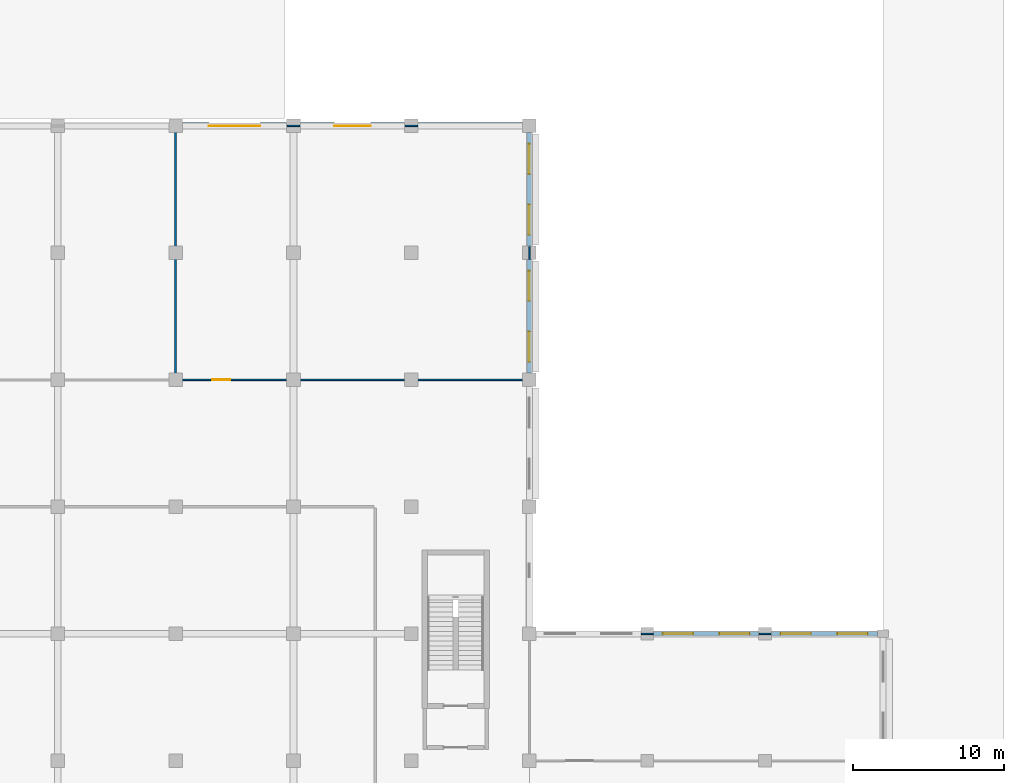
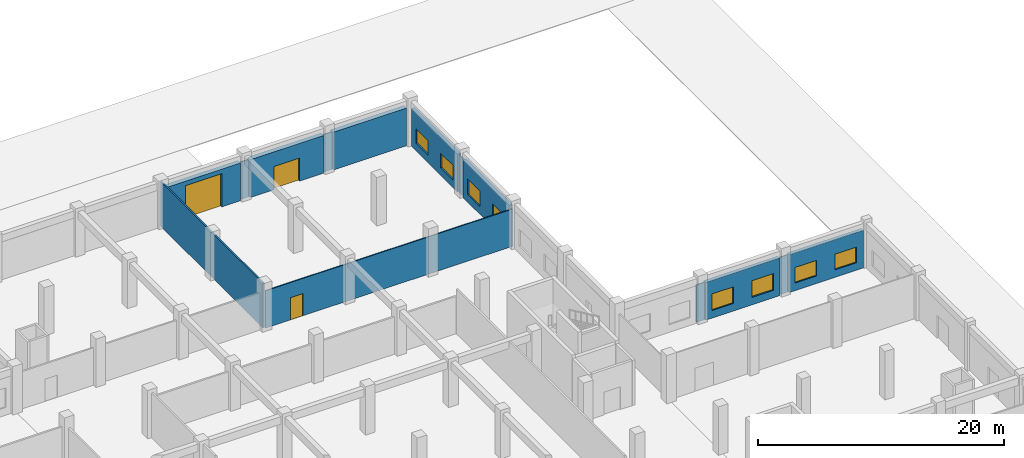
# One storey, part 59 of 74: 14 walls, 8 windows, 3 doors, 11 openings.
"""IFC4 building model written with IfcOpenShell, lengths in metres."""

from ifc_helpers import new_model, si_unit, direction, frame, frame_2d, origin, place, context, subcontext, project, spatial, rectangle, extrude, material, layer, layer_set, type_object, element, fill, save


model = new_model("IFC4")

# Units and contexts
model_context = context("Model", 3, precision=1e-05, world=origin(), true_north=direction((0.0, 1.0)))
body_context = subcontext(model_context, "Body", "Model", "MODEL_VIEW")
ifc_project = project(units=[si_unit("LENGTHUNIT", "METRE"), si_unit("AREAUNIT", "SQUARE_METRE"), si_unit("VOLUMEUNIT", "CUBIC_METRE"), si_unit("PLANEANGLEUNIT", "RADIAN"), si_unit("MASSUNIT", "GRAM", prefix="KILO"), si_unit("THERMODYNAMICTEMPERATUREUNIT", "KELVIN"), si_unit("POWERUNIT", "WATT")], contexts=[model_context])

# Site, building, storey
site_placement = place(None, origin())
site = spatial("IfcSite", under=ifc_project, at=site_placement, CompositionType="ELEMENT")
building_placement = place(site_placement, origin())
building = spatial("IfcBuilding", under=site, at=building_placement, Name="Srebrne Nadtorze General Hospital", CompositionType="ELEMENT")
storey_placement = place(building_placement, origin())
storey = spatial("IfcBuildingStorey", under=building, at=storey_placement, Name="L00", CompositionType="ELEMENT", Elevation=0.0)

# Wall, opening, door
ifc_material_1 = material(Name="Concrete C40/50", Category="concrete")
ifc_layer_1 = layer(ifc_material_1, 0.419921875)
ifc_layer_set_1 = layer_set([ifc_layer_1], Name="Concrete C40/50")
wall_type_1 = type_object("IfcWallType", Name="Acoustic buffer wall 420", PredefinedType="SOLIDWALL", material=ifc_layer_set_1)
wall_1_placement = place(storey_placement, frame((125.25, 109.199951171875, 0.0), z_axis=(0.0, 0.0, 1.0), x_axis=(1.0, 0.0, 0.0)))
wall_1 = element("IfcWall", 1, at=wall_1_placement, inside=storey, type_object=wall_type_1, Name="Exterior wall WL-ENV-L00-0110", PredefinedType="SOLIDWALL", context=body_context, shape_type="SweptSolid", body=[
    extrude(rectangle(XDim=6.89990234375, YDim=0.419921875, at=frame_2d((3.449951171875, 0.0))), origin(), (0.0, 0.0, 1.0), 3.75),
])
opening_1_placement = place(wall_1_placement, frame((1.75, 0.0, 0.0)))
opening_1 = element("IfcOpeningElement", 2, at=opening_1_placement, cuts=wall_1, Name="Opening D-L00-E007", PredefinedType="OPENING", context=body_context, shape_type="SweptSolid", body=[
    extrude(rectangle(XDim=3.39990234375, YDim=3.300048828125, at=frame_2d((1.699951171875, 1.64990234375))), frame((0.0, 0.221923828125, 0.0), z_axis=(0.0, -1.0, 0.0), x_axis=(1.0, 0.0, 0.0)), (0.0, 0.0, 1.0), 0.44384765625),
])
ifc_material_2 = material(Name="Anodised Aluminium", Category="aluminium")
door_type_1 = type_object("IfcDoorType", Name="Emergency exit gate 3400x3300", OperationType="DOUBLE_DOOR_SINGLE_SWING", PredefinedType="GATE", material=ifc_material_2)
door_1_placement = place(opening_1_placement, origin())
door_1 = element("IfcDoor", 3, at=door_1_placement, inside=storey, type_object=door_type_1, Name="Exterior door D-L00-E007", OperationType="DOUBLE_DOOR_SINGLE_SWING", OverallHeight=3.300048828125, OverallWidth=3.39990234375, PredefinedType="GATE", context=body_context, shape_type="SweptSolid", body=[
    extrude(rectangle(XDim=3.39990234375, YDim=3.300048828125, at=frame_2d((1.699951171875, 1.64990234375))), frame((0.0, 0.02490234375, 0.0), z_axis=(0.0, -1.0, 0.0), x_axis=(1.0, 0.0, 0.0)), (0.0, 0.0, 1.0), 0.050048828125),
])
fill(opening_1, door_1)

wall_2_placement = place(storey_placement, frame((133.050048828125, 109.199951171875, 0.0), z_axis=(0.0, 0.0, 1.0), x_axis=(1.0, 0.0, 0.0)))
wall_2 = element("IfcWall", 4, at=wall_2_placement, inside=storey, type_object=wall_type_1, Name="Exterior wall WL-ENV-L00-0111", PredefinedType="SOLIDWALL", context=body_context, shape_type="SweptSolid", body=[
    extrude(rectangle(XDim=6.89990234375, YDim=0.419921875, at=frame_2d((3.449951171875, 0.0))), origin(), (0.0, 0.0, 1.0), 3.75),
])
opening_2_placement = place(wall_2_placement, frame((2.25, 0.0, 0.0)))
opening_2 = element("IfcOpeningElement", 5, at=opening_2_placement, cuts=wall_2, Name="Opening D-L00-E008", PredefinedType="OPENING", context=body_context, shape_type="SweptSolid", body=[
    extrude(rectangle(XDim=2.39990234375, YDim=2.300048828125, at=frame_2d((1.199951171875, 1.14990234375))), frame((0.0, 0.221923828125, 0.0), z_axis=(0.0, -1.0, 0.0), x_axis=(1.0, 0.0, 0.0)), (0.0, 0.0, 1.0), 0.44384765625),
])
ifc_material_3 = material(Name="Anodised Aluminium", Category="aluminium")
door_type_2 = type_object("IfcDoorType", Name="Emergency exit gate 2400x2300", OperationType="DOUBLE_DOOR_SINGLE_SWING", PredefinedType="GATE", material=ifc_material_3)
door_2_placement = place(opening_2_placement, origin())
door_2 = element("IfcDoor", 6, at=door_2_placement, inside=storey, type_object=door_type_2, Name="Exterior door D-L00-E008", OperationType="DOUBLE_DOOR_SINGLE_SWING", OverallHeight=2.300048828125, OverallWidth=2.39990234375, PredefinedType="GATE", context=body_context, shape_type="SweptSolid", body=[
    extrude(rectangle(XDim=2.39990234375, YDim=2.300048828125, at=frame_2d((1.199951171875, 1.14990234375))), frame((0.0, 0.02490234375, 0.0), z_axis=(0.0, -1.0, 0.0), x_axis=(1.0, 0.0, 0.0)), (0.0, 0.0, 1.0), 0.050048828125),
])
fill(opening_2, door_2)

# Walls
wall_3_placement = place(storey_placement, frame((140.85009765625, 109.199951171875, 0.0), z_axis=(0.0, 0.0, 1.0), x_axis=(1.0, 0.0, 0.0)))
element("IfcWall", 7, at=wall_3_placement, inside=storey, type_object=wall_type_1, Name="Exterior wall WL-ENV-L00-0112", PredefinedType="SOLIDWALL", context=body_context, shape_type="SweptSolid", body=[
    extrude(rectangle(XDim=6.89990234375, YDim=0.419921875, at=frame_2d((3.449951171875, 0.0))), origin(), (0.0, 0.0, 1.0), 3.75),
])
ifc_material_4 = material(Name="Gypsum Healthcare Partition")
ifc_layer_2 = layer(ifc_material_4, 0.139892578125)
ifc_layer_set_2 = layer_set([ifc_layer_2], Name="Gypsum Healthcare Partition")
wall_type_2 = type_object("IfcWallType", Name="Clinical partition 140", PredefinedType="PARTITIONING", material=ifc_layer_set_2)
wall_4_placement = place(storey_placement, frame((124.800048828125, 92.485107421875, 0.0), z_axis=(0.0, 0.0, 1.0), x_axis=(0.0, 1.0, 0.0)))
element("IfcWall", 8, at=wall_4_placement, inside=storey, type_object=wall_type_2, Name="Central Goods Store wall WL-INT-L00-1342", PredefinedType="PARTITIONING", context=body_context, shape_type="SweptSolid", body=[
    extrude(rectangle(XDim=16.6298828125, YDim=0.139892578125, at=frame_2d((8.31494140625, 0.0))), origin(), (0.0, 0.0, 1.0), 4.429931640625),
])

# Wall, opening, door
ifc_material_5 = material(Name="Gypsum Healthcare Partition")
ifc_layer_3 = layer(ifc_material_5, 0.10009765625)
ifc_layer_set_3 = layer_set([ifc_layer_3], Name="Gypsum Healthcare Partition")
wall_type_3 = type_object("IfcWallType", Name="Shaft lining wall 100", PredefinedType="PARTITIONING", material=ifc_layer_set_3)
wall_5_placement = place(storey_placement, frame((124.885009765625, 92.39990234375, 0.0), z_axis=(0.0, 0.0, 1.0), x_axis=(1.0, 0.0, 0.0)))
wall_5 = element("IfcWall", 9, at=wall_5_placement, inside=storey, type_object=wall_type_3, Name="Loading Dock Bay and Dispatch Store wall WL-INT-L00-1343", PredefinedType="PARTITIONING", context=body_context, shape_type="SweptSolid", body=[
    extrude(rectangle(XDim=23.22998046875, YDim=0.10009765625, at=frame_2d((11.614990234375, 0.0))), origin(), (0.0, 0.0, 1.0), 3.699951171875),
])
opening_3_placement = place(wall_5_placement, frame((2.33544921875, 0.0, 0.0)))
opening_3 = element("IfcOpeningElement", 10, at=opening_3_placement, cuts=wall_5, Name="Opening D-L00-0201", PredefinedType="OPENING", context=body_context, shape_type="SweptSolid", body=[
    extrude(rectangle(XDim=1.179931640625, YDim=2.199951171875, at=frame_2d((0.58984375, 1.10009765625))), frame((0.0, 0.06201171875, 0.0), z_axis=(0.0, -1.0, 0.0), x_axis=(1.0, 0.0, 0.0)), (0.0, 0.0, 1.0), 0.1240234375),
])
ifc_material_6 = material(Name="Anodised Aluminium", Category="aluminium")
door_type_3 = type_object("IfcDoorType", Name="Single leaf door 1180x2200", OperationType="NOTDEFINED", PredefinedType="DOOR", material=ifc_material_6)
door_3_placement = place(opening_3_placement, origin())
door_3 = element("IfcDoor", 11, at=door_3_placement, inside=storey, type_object=door_type_3, Name="Loading Dock Bay and Dispatch Store door D-L00-0201", OperationType="SINGLE_SWING_LEFT", OverallHeight=2.199951171875, OverallWidth=1.179931640625, PredefinedType="DOOR", context=body_context, shape_type="SweptSolid", body=[
    extrude(rectangle(XDim=1.179931640625, YDim=2.199951171875, at=frame_2d((0.58984375, 1.10009765625))), frame((0.0, 0.02490234375, 0.0), z_axis=(0.0, -1.0, 0.0), x_axis=(1.0, 0.0, 0.0)), (0.0, 0.0, 1.0), 0.050048828125),
])
fill(opening_3, door_3)

# Walls
for number, where, z_axis, x_axis, name in (
    (12, (132.18994140625, 109.199951171875, 0.0), (0.0, 0.0, 1.0), (1.0, 0.0, 0.0), "Loading Dock Bay and Dispatch Store wall WL-INT-L00-1344"),
    (13, (139.989990234375, 109.199951171875, 0.0), (0.0, 0.0, 1.0), (1.0, 0.0, 0.0), "Loading Dock Bay and Dispatch Store wall WL-INT-L00-1345"),
    (14, (148.199951171875, 100.389892578125, 0.0), (0.0, 0.0, 1.0), (0.0, 1.0, 0.0), "Loading Dock Bay and Dispatch Store wall WL-INT-L00-1346"),
):
    element("IfcWall", number, at=place(storey_placement, frame(where, z_axis=z_axis, x_axis=x_axis)), inside=storey, type_object=wall_type_3, Name=name, PredefinedType="PARTITIONING", context=body_context, shape_type="SweptSolid", body=[
        extrude(rectangle(XDim=0.820068359375, YDim=0.10009765625, at=frame_2d((0.41015625, 0.0))), origin(), (0.0, 0.0, 1.0), 3.699951171875),
    ])
for number, where, z_axis, x_axis, name in (
    (15, (155.614990234375, 75.60009765625, 0.0), (0.0, 0.0, 1.0), (1.0, 0.0, 0.0), "Patient Transport Waiting Suite wall WL-INT-L00-1357"),
    (16, (163.4150390625, 75.60009765625, 0.0), (0.0, 0.0, 1.0), (1.0, 0.0, 0.0), "Patient Transport Waiting Suite wall WL-INT-L00-1358"),
):
    element("IfcWall", number, at=place(storey_placement, frame(where, z_axis=z_axis, x_axis=x_axis)), inside=storey, type_object=wall_type_3, Name=name, PredefinedType="PARTITIONING", context=body_context, shape_type="SweptSolid", body=[
        extrude(rectangle(XDim=0.77001953125, YDim=0.10009765625, at=frame_2d((0.385009765625, 0.0))), origin(), (0.0, 0.0, 1.0), 3.699951171875),
    ])

# Wall, openings, windows
ifc_material_7 = material(Name="Concrete C35/45", Category="concrete")
ifc_layer_4 = layer(ifc_material_7, 0.320068359375)
ifc_layer_set_4 = layer_set([ifc_layer_4], Name="Concrete C35/45")
wall_type_4 = type_object("IfcWallType", Name="Spandrel wall 320", PredefinedType="STANDARD", material=ifc_layer_set_4)
wall_6_placement = place(storey_placement, frame((156.425048828125, 75.60009765625, 0.0), z_axis=(0.0, 0.0, 1.0), x_axis=(1.0, 0.0, 0.0)))
wall_6 = element("IfcWall", 17, at=wall_6_placement, inside=storey, type_object=wall_type_4, Name="Exterior wall WL-ENV-L00-0098", PredefinedType="STANDARD", context=body_context, shape_type="SweptSolid", body=[
    extrude(rectangle(XDim=6.949951171875, YDim=0.320068359375, at=frame_2d((3.47509765625, 0.0))), origin(), (0.0, 0.0, 1.0), 3.75),
])
opening_4_placement = place(wall_6_placement, frame((0.60302734375, 0.0, 0.75)))
opening_4 = element("IfcOpeningElement", 18, at=opening_4_placement, cuts=wall_6, Name="Opening WN-L00-0043", PredefinedType="OPENING", context=body_context, shape_type="SweptSolid", body=[
    extrude(rectangle(XDim=2.0, YDim=1.64990234375, at=frame_2d((1.0, 0.824951171875))), frame((0.0, 0.171875, 0.0), z_axis=(0.0, -1.0, 0.0), x_axis=(1.0, 0.0, 0.0)), (0.0, 0.0, 1.0), 0.343994140625),
])
opening_5_placement = place(wall_6_placement, frame((4.346923828125, 0.0, 0.75)))
opening_5 = element("IfcOpeningElement", 19, at=opening_5_placement, cuts=wall_6, Name="Opening WN-L00-0044", PredefinedType="OPENING", context=body_context, shape_type="SweptSolid", body=[
    extrude(rectangle(XDim=2.0, YDim=1.64990234375, at=frame_2d((1.0, 0.824951171875))), frame((0.0, 0.171875, 0.0), z_axis=(0.0, -1.0, 0.0), x_axis=(1.0, 0.0, 0.0)), (0.0, 0.0, 1.0), 0.343994140625),
])
ifc_material_8 = material(Name="Triple Low-E Glazing", Category="glass")
window_type_1 = type_object("IfcWindowType", Name="Punched clinical window 2000x1650", PartitioningType="DOUBLE_PANEL_VERTICAL", PredefinedType="WINDOW", material=ifc_material_8)
window_1_placement = place(opening_4_placement, origin())
window_1 = element("IfcWindow", 20, at=window_1_placement, inside=storey, type_object=window_type_1, Name="Clinical window WN-L00-0043", OverallHeight=1.64990234375, OverallWidth=2.0, PartitioningType="DOUBLE_PANEL_VERTICAL", PredefinedType="WINDOW", context=body_context, shape_type="SweptSolid", body=[
    extrude(rectangle(XDim=2.0, YDim=1.64990234375, at=frame_2d((1.0, 0.824951171875))), frame((0.0, 0.030029296875, 0.0), z_axis=(0.0, -1.0, 0.0), x_axis=(1.0, 0.0, 0.0)), (0.0, 0.0, 1.0), 0.06005859375),
])
fill(opening_4, window_1)
window_2_placement = place(opening_5_placement, origin())
window_2 = element("IfcWindow", 21, at=window_2_placement, inside=storey, type_object=window_type_1, Name="Clinical window WN-L00-0044", OverallHeight=1.64990234375, OverallWidth=2.0, PartitioningType="DOUBLE_PANEL_VERTICAL", PredefinedType="WINDOW", context=body_context, shape_type="SweptSolid", body=[
    extrude(rectangle(XDim=2.0, YDim=1.64990234375, at=frame_2d((1.0, 0.824951171875))), frame((0.0, 0.030029296875, 0.0), z_axis=(0.0, -1.0, 0.0), x_axis=(1.0, 0.0, 0.0)), (0.0, 0.0, 1.0), 0.06005859375),
])
fill(opening_5, window_2)

wall_7_placement = place(storey_placement, frame((164.22509765625, 75.60009765625, 0.0), z_axis=(0.0, 0.0, 1.0), x_axis=(1.0, 0.0, 0.0)))
wall_7 = element("IfcWall", 22, at=wall_7_placement, inside=storey, type_object=wall_type_4, Name="Exterior wall WL-ENV-L00-0099", PredefinedType="STANDARD", context=body_context, shape_type="SweptSolid", body=[
    extrude(rectangle(XDim=7.0, YDim=0.320068359375, at=frame_2d((3.5, 0.0))), origin(), (0.0, 0.0, 1.0), 3.75),
])
opening_6_placement = place(wall_7_placement, frame((0.60302734375, 0.0, 0.75)))
opening_6 = element("IfcOpeningElement", 23, at=opening_6_placement, cuts=wall_7, Name="Opening WN-L00-0045", PredefinedType="OPENING", context=body_context, shape_type="SweptSolid", body=[
    extrude(rectangle(XDim=2.0, YDim=1.550048828125, at=frame_2d((1.0, 0.77490234375))), frame((0.0, 0.171875, 0.0), z_axis=(0.0, -1.0, 0.0), x_axis=(1.0, 0.0, 0.0)), (0.0, 0.0, 1.0), 0.343994140625),
])
opening_7_placement = place(wall_7_placement, frame((4.346923828125, 0.0, 0.75)))
opening_7 = element("IfcOpeningElement", 24, at=opening_7_placement, cuts=wall_7, Name="Opening WN-L00-0046", PredefinedType="OPENING", context=body_context, shape_type="SweptSolid", body=[
    extrude(rectangle(XDim=2.0, YDim=1.550048828125, at=frame_2d((1.0, 0.77490234375))), frame((0.0, 0.171875, 0.0), z_axis=(0.0, -1.0, 0.0), x_axis=(1.0, 0.0, 0.0)), (0.0, 0.0, 1.0), 0.343994140625),
])
ifc_material_9 = material(Name="Triple Low-E Glazing", Category="glass")
window_type_2 = type_object("IfcWindowType", Name="Punched clinical window 2000x1550", PartitioningType="DOUBLE_PANEL_VERTICAL", PredefinedType="WINDOW", material=ifc_material_9)
window_3_placement = place(opening_6_placement, origin())
window_3 = element("IfcWindow", 25, at=window_3_placement, inside=storey, type_object=window_type_2, Name="Clinical window WN-L00-0045", OverallHeight=1.550048828125, OverallWidth=2.0, PartitioningType="DOUBLE_PANEL_VERTICAL", PredefinedType="WINDOW", context=body_context, shape_type="SweptSolid", body=[
    extrude(rectangle(XDim=2.0, YDim=1.550048828125, at=frame_2d((1.0, 0.77490234375))), frame((0.0, 0.030029296875, 0.0), z_axis=(0.0, -1.0, 0.0), x_axis=(1.0, 0.0, 0.0)), (0.0, 0.0, 1.0), 0.06005859375),
])
fill(opening_6, window_3)
window_4_placement = place(opening_7_placement, origin())
window_4 = element("IfcWindow", 26, at=window_4_placement, inside=storey, type_object=window_type_2, Name="Clinical window WN-L00-0046", OverallHeight=1.550048828125, OverallWidth=2.0, PartitioningType="DOUBLE_PANEL_VERTICAL", PredefinedType="WINDOW", context=body_context, shape_type="SweptSolid", body=[
    extrude(rectangle(XDim=2.0, YDim=1.550048828125, at=frame_2d((1.0, 0.77490234375))), frame((0.0, 0.030029296875, 0.0), z_axis=(0.0, -1.0, 0.0), x_axis=(1.0, 0.0, 0.0)), (0.0, 0.0, 1.0), 0.06005859375),
])
fill(opening_7, window_4)

wall_8_placement = place(storey_placement, frame((148.199951171875, 92.85009765625, 0.0), z_axis=(0.0, 0.0, 1.0), x_axis=(0.0, 1.0, 0.0)))
wall_8 = element("IfcWall", 27, at=wall_8_placement, inside=storey, type_object=wall_type_4, Name="Exterior wall WL-ENV-L00-0144", PredefinedType="STANDARD", context=body_context, shape_type="SweptSolid", body=[
    extrude(rectangle(XDim=7.5, YDim=0.320068359375, at=frame_2d((3.75, 0.0))), origin(), (0.0, 0.0, 1.0), 3.75),
])
opening_8_placement = place(wall_8_placement, frame((0.73388671875, 0.0, 0.75)))
opening_8 = element("IfcOpeningElement", 28, at=opening_8_placement, cuts=wall_8, Name="Opening WN-L00-0111", PredefinedType="OPENING", context=body_context, shape_type="SweptSolid", body=[
    extrude(rectangle(XDim=2.0, YDim=1.550048828125, at=frame_2d((1.0, 0.77490234375))), frame((0.0, 0.171875, 0.0), z_axis=(0.0, -1.0, 0.0), x_axis=(1.0, 0.0, 0.0)), (0.0, 0.0, 1.0), 0.343994140625),
])
opening_9_placement = place(wall_8_placement, frame((4.76611328125, 0.0, 0.75)))
opening_9 = element("IfcOpeningElement", 29, at=opening_9_placement, cuts=wall_8, Name="Opening WN-L00-0112", PredefinedType="OPENING", context=body_context, shape_type="SweptSolid", body=[
    extrude(rectangle(XDim=2.0, YDim=1.550048828125, at=frame_2d((1.0, 0.77490234375))), frame((0.0, 0.171875, 0.0), z_axis=(0.0, -1.0, 0.0), x_axis=(1.0, 0.0, 0.0)), (0.0, 0.0, 1.0), 0.343994140625),
])
window_5_placement = place(opening_8_placement, origin())
window_5 = element("IfcWindow", 30, at=window_5_placement, inside=storey, type_object=window_type_2, Name="Clinical window WN-L00-0111", OverallHeight=1.550048828125, OverallWidth=2.0, PartitioningType="DOUBLE_PANEL_VERTICAL", PredefinedType="WINDOW", context=body_context, shape_type="SweptSolid", body=[
    extrude(rectangle(XDim=2.0, YDim=1.550048828125, at=frame_2d((1.0, 0.77490234375))), frame((0.0, 0.030029296875, 0.0), z_axis=(0.0, -1.0, 0.0), x_axis=(1.0, 0.0, 0.0)), (0.0, 0.0, 1.0), 0.06005859375),
])
fill(opening_8, window_5)
window_6_placement = place(opening_9_placement, origin())
window_6 = element("IfcWindow", 31, at=window_6_placement, inside=storey, type_object=window_type_2, Name="Clinical window WN-L00-0112", OverallHeight=1.550048828125, OverallWidth=2.0, PartitioningType="DOUBLE_PANEL_VERTICAL", PredefinedType="WINDOW", context=body_context, shape_type="SweptSolid", body=[
    extrude(rectangle(XDim=2.0, YDim=1.550048828125, at=frame_2d((1.0, 0.77490234375))), frame((0.0, 0.030029296875, 0.0), z_axis=(0.0, -1.0, 0.0), x_axis=(1.0, 0.0, 0.0)), (0.0, 0.0, 1.0), 0.06005859375),
])
fill(opening_9, window_6)

wall_9_placement = place(storey_placement, frame((148.199951171875, 101.25, 0.0), z_axis=(0.0, 0.0, 1.0), x_axis=(0.0, 1.0, 0.0)))
wall_9 = element("IfcWall", 32, at=wall_9_placement, inside=storey, type_object=wall_type_4, Name="Exterior wall WL-ENV-L00-0145", PredefinedType="STANDARD", context=body_context, shape_type="SweptSolid", body=[
    extrude(rectangle(XDim=7.5, YDim=0.320068359375, at=frame_2d((3.75, 0.0))), origin(), (0.0, 0.0, 1.0), 3.75),
])
opening_10_placement = place(wall_9_placement, frame((0.73388671875, 0.0, 0.75)))
opening_10 = element("IfcOpeningElement", 33, at=opening_10_placement, cuts=wall_9, Name="Opening WN-L00-0113", PredefinedType="OPENING", context=body_context, shape_type="SweptSolid", body=[
    extrude(rectangle(XDim=2.0, YDim=1.449951171875, at=frame_2d((1.0, 0.72509765625))), frame((0.0, 0.171875, 0.0), z_axis=(0.0, -1.0, 0.0), x_axis=(1.0, 0.0, 0.0)), (0.0, 0.0, 1.0), 0.343994140625),
])
opening_11_placement = place(wall_9_placement, frame((4.76611328125, 0.0, 0.75)))
opening_11 = element("IfcOpeningElement", 34, at=opening_11_placement, cuts=wall_9, Name="Opening WN-L00-0114", PredefinedType="OPENING", context=body_context, shape_type="SweptSolid", body=[
    extrude(rectangle(XDim=2.0, YDim=1.449951171875, at=frame_2d((1.0, 0.72509765625))), frame((0.0, 0.171875, 0.0), z_axis=(0.0, -1.0, 0.0), x_axis=(1.0, 0.0, 0.0)), (0.0, 0.0, 1.0), 0.343994140625),
])
ifc_material_10 = material(Name="Triple Low-E Glazing", Category="glass")
window_type_3 = type_object("IfcWindowType", Name="Punched clinical window 2000x1450", PartitioningType="DOUBLE_PANEL_VERTICAL", PredefinedType="WINDOW", material=ifc_material_10)
window_7_placement = place(opening_10_placement, origin())
window_7 = element("IfcWindow", 35, at=window_7_placement, inside=storey, type_object=window_type_3, Name="Clinical window WN-L00-0113", OverallHeight=1.449951171875, OverallWidth=2.0, PartitioningType="DOUBLE_PANEL_VERTICAL", PredefinedType="WINDOW", context=body_context, shape_type="SweptSolid", body=[
    extrude(rectangle(XDim=2.0, YDim=1.449951171875, at=frame_2d((1.0, 0.72509765625))), frame((0.0, 0.030029296875, 0.0), z_axis=(0.0, -1.0, 0.0), x_axis=(1.0, 0.0, 0.0)), (0.0, 0.0, 1.0), 0.06005859375),
])
fill(opening_10, window_7)
window_8_placement = place(opening_11_placement, origin())
window_8 = element("IfcWindow", 36, at=window_8_placement, inside=storey, type_object=window_type_3, Name="Clinical window WN-L00-0114", OverallHeight=1.449951171875, OverallWidth=2.0, PartitioningType="DOUBLE_PANEL_VERTICAL", PredefinedType="WINDOW", context=body_context, shape_type="SweptSolid", body=[
    extrude(rectangle(XDim=2.0, YDim=1.449951171875, at=frame_2d((1.0, 0.72509765625))), frame((0.0, 0.030029296875, 0.0), z_axis=(0.0, -1.0, 0.0), x_axis=(1.0, 0.0, 0.0)), (0.0, 0.0, 1.0), 0.06005859375),
])
fill(opening_11, window_8)

save(model, "model.ifc")
